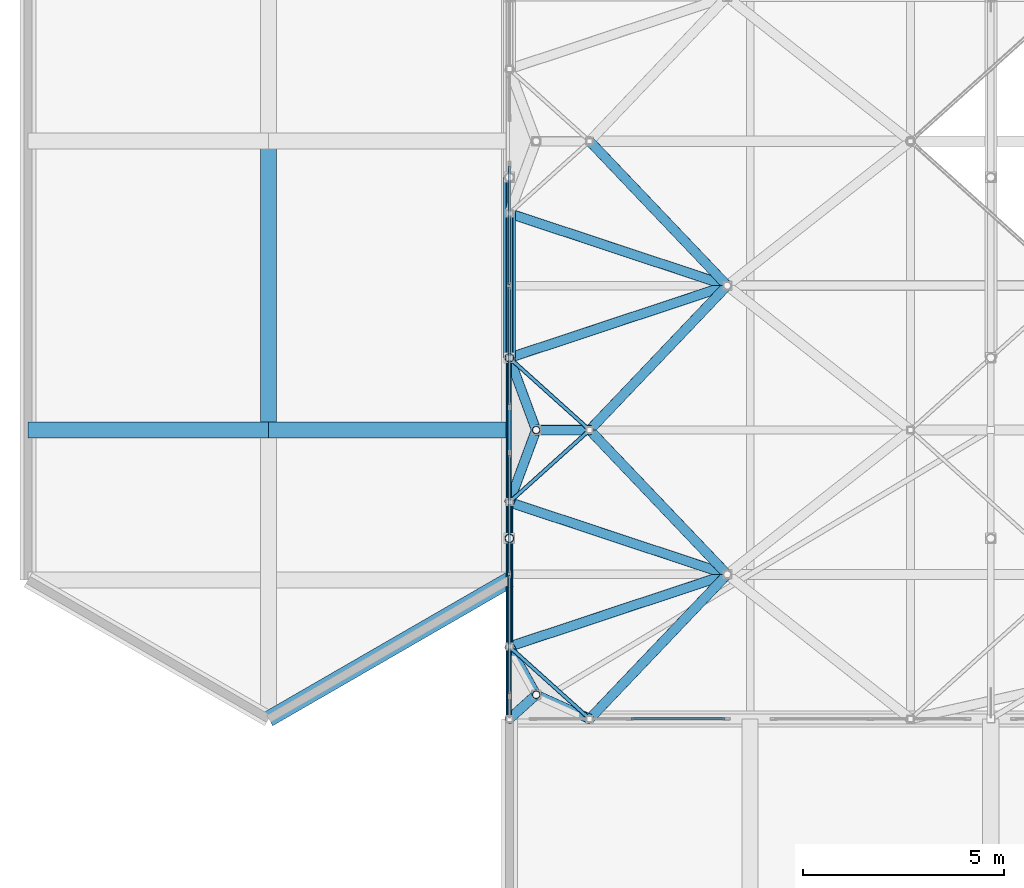
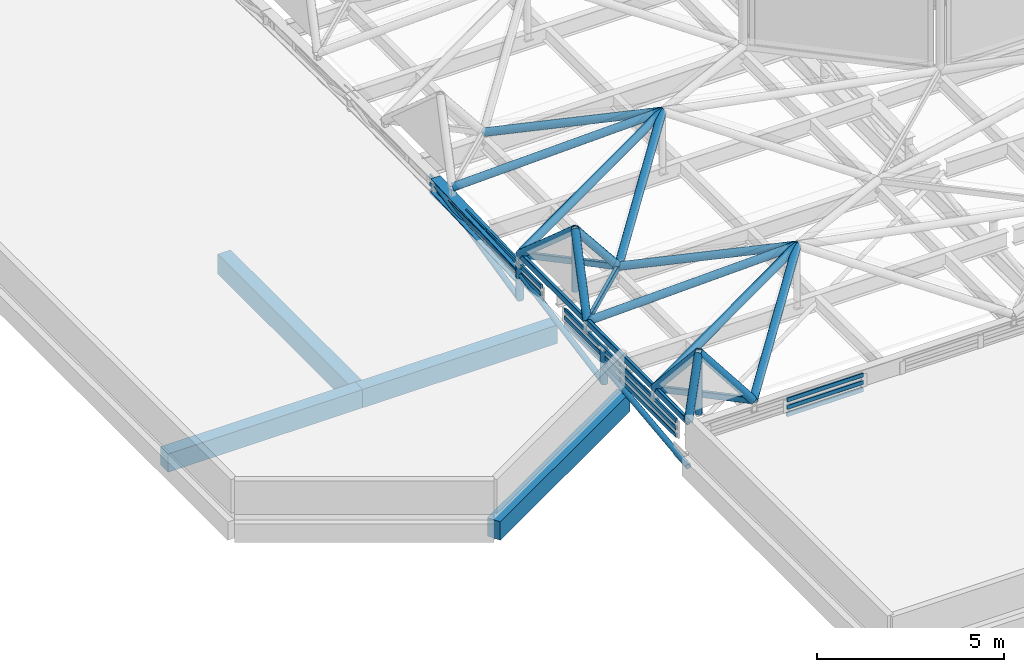
# One storey, part 7 of 239: 36 members, 11 beams, 3 elements without a shape of their own.
"""IFC4 building model written with IfcOpenShell, lengths in metres."""

from ifc_helpers import new_model, si_unit, direction, frame, origin, origin_2d, place, context, subcontext, project, spatial, rectangle, hollow_rectangle, hollow_circle, i_section, extrude, material, layer, layer_set, material_profile, profile_set, type_object, element, aggregate, save


model = new_model("IFC4")

# Units and contexts
model_context = context("Model", 3, precision=1e-05, world=origin(), true_north=direction((0.0, 1.0)))
body_context = subcontext(model_context, "Body", "Model", "MODEL_VIEW")
ifc_project = project(units=[si_unit("LENGTHUNIT", "METRE"), si_unit("AREAUNIT", "SQUARE_METRE"), si_unit("VOLUMEUNIT", "CUBIC_METRE"), si_unit("PLANEANGLEUNIT", "RADIAN"), si_unit("MASSUNIT", "GRAM", prefix="KILO")], contexts=[model_context])

# Site, building, storey
site_placement = place(None, origin())
site = spatial("IfcSite", under=ifc_project, at=site_placement, CompositionType="ELEMENT")
building_placement = place(site_placement, origin())
building = spatial("IfcBuilding", under=site, at=building_placement, Name="Dunvalen Ferry Terminal", CompositionType="ELEMENT")
storey_placement = place(building_placement, frame((0.0, 0.0, 9.840087890625)))
storey = spatial("IfcBuildingStorey", under=building, at=storey_placement, Name="L02", CompositionType="ELEMENT", Elevation=9.840087890625)

# Curtain wall, members
ifc_material_1 = material(Name="Anodised marine aluminium and solar-control glazing", Category="aluminium")
ifc_layer_1 = layer(ifc_material_1, 0.219970703125, Name="Anodised marine aluminium and solar-control glazing")
ifc_layer_set_1 = layer_set([ifc_layer_1], Name="Anodised marine aluminium and solar-control glazing")
curtain_wall_type_1 = type_object("IfcCurtainWallType", Name="ENV-CW-SYS-04", PredefinedType="NOTDEFINED", material=ifc_layer_set_1)
curtain_wall_1_placement = place(storey_placement, origin())
curtain_wall_1 = element("IfcCurtainWall", 1, at=curtain_wall_1_placement, inside=storey, type_object=curtain_wall_type_1, Name="L02 Curtain Wall CW-V1W-CLR-01", PredefinedType="NOTDEFINED")
ifc_material_2 = material(Name="Anodised marine aluminium EN AW-6063 T6", Category="aluminium")
ifc_material_profile_1 = material_profile(ifc_material_2, hollow_rectangle(XDim=0.06005859375, YDim=0.135009765625, WallThickness=0.003173828125, InnerFilletRadius=0.003173828125, OuterFilletRadius=0.00634765625, at=origin_2d()), Name="Anodised marine aluminium EN AW-6063 T6")
ifc_profile_set_1 = profile_set([ifc_material_profile_1], Name="Anodised marine aluminium EN AW-6063 T6")
member_type_1 = type_object("IfcMemberType", Name="ENV-CW-TRN-2", PredefinedType="USERDEFINED", material=ifc_profile_set_1)
member_1_placement = place(storey_placement, frame((12.0, 51.02001953125, 0.27001953125), z_axis=(0.0, 1.0, 0.0), x_axis=(-1.0, 0.0, 0.0)))
member_1 = element("IfcMember", 2, at=member_1_placement, type_object=member_type_1, Name="CW-04 transom 1.1", ObjectType="TRANSOM", PredefinedType="USERDEFINED", context=body_context, shape_type="SweptSolid", body=[
    extrude(hollow_rectangle(XDim=0.06005859375, YDim=0.135009765625, WallThickness=0.003173828125, InnerFilletRadius=0.003173828125, OuterFilletRadius=0.00634765625, at=origin_2d()), origin(), (0.0, 0.0, 1.0), 2.949951171875),
])
member_2_placement = place(storey_placement, frame((12.0, 51.02001953125, 0.510009765625), z_axis=(0.0, 1.0, 0.0), x_axis=(-1.0, 0.0, 0.0)))
member_2 = element("IfcMember", 3, at=member_2_placement, type_object=member_type_1, Name="CW-04 transom 1.2", ObjectType="TRANSOM", PredefinedType="USERDEFINED", context=body_context, shape_type="SweptSolid", body=[
    extrude(hollow_rectangle(XDim=0.06005859375, YDim=0.135009765625, WallThickness=0.003173828125, InnerFilletRadius=0.003173828125, OuterFilletRadius=0.00634765625, at=origin_2d()), origin(), (0.0, 0.0, 1.0), 2.949951171875),
])
member_3_placement = place(storey_placement, frame((12.0, 51.02001953125, 0.75), z_axis=(0.0, 1.0, 0.0), x_axis=(-1.0, 0.0, 0.0)))
member_3 = element("IfcMember", 4, at=member_3_placement, type_object=member_type_1, Name="CW-04 transom 1.3", ObjectType="TRANSOM", PredefinedType="USERDEFINED", context=body_context, shape_type="SweptSolid", body=[
    extrude(hollow_rectangle(XDim=0.06005859375, YDim=0.135009765625, WallThickness=0.003173828125, InnerFilletRadius=0.003173828125, OuterFilletRadius=0.00634765625, at=origin_2d()), origin(), (0.0, 0.0, 1.0), 2.949951171875),
])
member_4_placement = place(storey_placement, frame((12.0, 54.030029296875, 0.27001953125), z_axis=(0.0, 1.0, 0.0), x_axis=(-1.0, 0.0, 0.0)))
member_4 = element("IfcMember", 5, at=member_4_placement, type_object=member_type_1, Name="CW-04 transom 2.1", ObjectType="TRANSOM", PredefinedType="USERDEFINED", context=body_context, shape_type="SweptSolid", body=[
    extrude(hollow_rectangle(XDim=0.06005859375, YDim=0.135009765625, WallThickness=0.003173828125, InnerFilletRadius=0.003173828125, OuterFilletRadius=0.00634765625, at=origin_2d()), origin(), (0.0, 0.0, 1.0), 2.949951171875),
])
member_5_placement = place(storey_placement, frame((12.0, 54.030029296875, 0.510009765625), z_axis=(0.0, 1.0, 0.0), x_axis=(-1.0, 0.0, 0.0)))
member_5 = element("IfcMember", 6, at=member_5_placement, type_object=member_type_1, Name="CW-04 transom 2.2", ObjectType="TRANSOM", PredefinedType="USERDEFINED", context=body_context, shape_type="SweptSolid", body=[
    extrude(hollow_rectangle(XDim=0.06005859375, YDim=0.135009765625, WallThickness=0.003173828125, InnerFilletRadius=0.003173828125, OuterFilletRadius=0.00634765625, at=origin_2d()), origin(), (0.0, 0.0, 1.0), 2.949951171875),
])
member_6_placement = place(storey_placement, frame((12.0, 54.030029296875, 0.75), z_axis=(0.0, 1.0, 0.0), x_axis=(-1.0, 0.0, 0.0)))
member_6 = element("IfcMember", 7, at=member_6_placement, type_object=member_type_1, Name="CW-04 transom 2.3", ObjectType="TRANSOM", PredefinedType="USERDEFINED", context=body_context, shape_type="SweptSolid", body=[
    extrude(hollow_rectangle(XDim=0.06005859375, YDim=0.135009765625, WallThickness=0.003173828125, InnerFilletRadius=0.003173828125, OuterFilletRadius=0.00634765625, at=origin_2d()), origin(), (0.0, 0.0, 1.0), 2.949951171875),
])
aggregate(curtain_wall_1, [member_1, member_2, member_3, member_4, member_5, member_6])

curtain_wall_2_placement = place(storey_placement, origin())
curtain_wall_2 = element("IfcCurtainWall", 8, at=curtain_wall_2_placement, inside=storey, type_object=curtain_wall_type_1, Name="L02 Curtain Wall CW-V1W-CLR-02", PredefinedType="NOTDEFINED")
member_7_placement = place(storey_placement, frame((12.0, 58.219970703125, 0.27001953125), z_axis=(0.0, 1.0, 0.0), x_axis=(-1.0, 0.0, 0.0)))
member_7 = element("IfcMember", 9, at=member_7_placement, type_object=member_type_1, Name="CW-04 transom 1.1", ObjectType="TRANSOM", PredefinedType="USERDEFINED", context=body_context, shape_type="SweptSolid", body=[
    extrude(hollow_rectangle(XDim=0.06005859375, YDim=0.135009765625, WallThickness=0.003173828125, InnerFilletRadius=0.003173828125, OuterFilletRadius=0.00634765625, at=origin_2d()), origin(), (0.0, 0.0, 1.0), 2.949951171875),
])
member_8_placement = place(storey_placement, frame((12.0, 58.219970703125, 0.510009765625), z_axis=(0.0, 1.0, 0.0), x_axis=(-1.0, 0.0, 0.0)))
member_8 = element("IfcMember", 10, at=member_8_placement, type_object=member_type_1, Name="CW-04 transom 1.2", ObjectType="TRANSOM", PredefinedType="USERDEFINED", context=body_context, shape_type="SweptSolid", body=[
    extrude(hollow_rectangle(XDim=0.06005859375, YDim=0.135009765625, WallThickness=0.003173828125, InnerFilletRadius=0.003173828125, OuterFilletRadius=0.00634765625, at=origin_2d()), origin(), (0.0, 0.0, 1.0), 2.949951171875),
])
member_9_placement = place(storey_placement, frame((12.0, 58.219970703125, 0.75), z_axis=(0.0, 1.0, 0.0), x_axis=(-1.0, 0.0, 0.0)))
member_9 = element("IfcMember", 11, at=member_9_placement, type_object=member_type_1, Name="CW-04 transom 1.3", ObjectType="TRANSOM", PredefinedType="USERDEFINED", context=body_context, shape_type="SweptSolid", body=[
    extrude(hollow_rectangle(XDim=0.06005859375, YDim=0.135009765625, WallThickness=0.003173828125, InnerFilletRadius=0.003173828125, OuterFilletRadius=0.00634765625, at=origin_2d()), origin(), (0.0, 0.0, 1.0), 2.949951171875),
])
member_10_placement = place(storey_placement, frame((12.0, 61.22998046875, 0.27001953125), z_axis=(0.0, 1.0, 0.0), x_axis=(-1.0, 0.0, 0.0)))
member_10 = element("IfcMember", 12, at=member_10_placement, type_object=member_type_1, Name="CW-04 transom 2.1", ObjectType="TRANSOM", PredefinedType="USERDEFINED", context=body_context, shape_type="SweptSolid", body=[
    extrude(hollow_rectangle(XDim=0.06005859375, YDim=0.135009765625, WallThickness=0.003173828125, InnerFilletRadius=0.003173828125, OuterFilletRadius=0.00634765625, at=origin_2d()), origin(), (0.0, 0.0, 1.0), 2.949951171875),
])
member_11_placement = place(storey_placement, frame((12.0, 61.22998046875, 0.510009765625), z_axis=(0.0, 1.0, 0.0), x_axis=(-1.0, 0.0, 0.0)))
member_11 = element("IfcMember", 13, at=member_11_placement, type_object=member_type_1, Name="CW-04 transom 2.2", ObjectType="TRANSOM", PredefinedType="USERDEFINED", context=body_context, shape_type="SweptSolid", body=[
    extrude(hollow_rectangle(XDim=0.06005859375, YDim=0.135009765625, WallThickness=0.003173828125, InnerFilletRadius=0.003173828125, OuterFilletRadius=0.00634765625, at=origin_2d()), origin(), (0.0, 0.0, 1.0), 2.949951171875),
])
member_12_placement = place(storey_placement, frame((12.0, 61.22998046875, 0.75), z_axis=(0.0, 1.0, 0.0), x_axis=(-1.0, 0.0, 0.0)))
member_12 = element("IfcMember", 14, at=member_12_placement, type_object=member_type_1, Name="CW-04 transom 2.3", ObjectType="TRANSOM", PredefinedType="USERDEFINED", context=body_context, shape_type="SweptSolid", body=[
    extrude(hollow_rectangle(XDim=0.06005859375, YDim=0.135009765625, WallThickness=0.003173828125, InnerFilletRadius=0.003173828125, OuterFilletRadius=0.00634765625, at=origin_2d()), origin(), (0.0, 0.0, 1.0), 2.949951171875),
])
aggregate(curtain_wall_2, [member_7, member_8, member_9, member_10, member_11, member_12])

ifc_layer_2 = layer(ifc_material_1, 0.219970703125, Name="Anodised marine aluminium and solar-control glazing")
ifc_layer_set_2 = layer_set([ifc_layer_2], Name="Anodised marine aluminium and solar-control glazing")
curtain_wall_type_2 = type_object("IfcCurtainWallType", Name="ENV-CW-SYS-02", PredefinedType="NOTDEFINED", material=ifc_layer_set_2)
curtain_wall_3_placement = place(storey_placement, origin())
curtain_wall_3 = element("IfcCurtainWall", 15, at=curtain_wall_3_placement, inside=storey, type_object=curtain_wall_type_2, Name="L02 Curtain Wall CW-V1SW-CLR-01", PredefinedType="NOTDEFINED")
member_13_placement = place(storey_placement, frame((15.030029296875, 50.39990234375, 0.27001953125), z_axis=(1.0, 0.0, 0.0), x_axis=(0.0, 1.0, 0.0)))
member_13 = element("IfcMember", 16, at=member_13_placement, type_object=member_type_1, Name="CW-02 transom 2.1", ObjectType="TRANSOM", PredefinedType="USERDEFINED", context=body_context, shape_type="SweptSolid", body=[
    extrude(hollow_rectangle(XDim=0.06005859375, YDim=0.135009765625, WallThickness=0.003173828125, InnerFilletRadius=0.003173828125, OuterFilletRadius=0.00634765625, at=origin_2d()), origin(), (0.0, 0.0, 1.0), 2.349853515625),
])
member_14_placement = place(storey_placement, frame((15.030029296875, 50.39990234375, 0.510009765625), z_axis=(1.0, 0.0, 0.0), x_axis=(0.0, 1.0, 0.0)))
member_14 = element("IfcMember", 17, at=member_14_placement, type_object=member_type_1, Name="CW-02 transom 2.2", ObjectType="TRANSOM", PredefinedType="USERDEFINED", context=body_context, shape_type="SweptSolid", body=[
    extrude(hollow_rectangle(XDim=0.06005859375, YDim=0.135009765625, WallThickness=0.003173828125, InnerFilletRadius=0.003173828125, OuterFilletRadius=0.00634765625, at=origin_2d()), origin(), (0.0, 0.0, 1.0), 2.349853515625),
])
member_15_placement = place(storey_placement, frame((15.030029296875, 50.39990234375, 0.75), z_axis=(1.0, 0.0, 0.0), x_axis=(0.0, 1.0, 0.0)))
member_15 = element("IfcMember", 18, at=member_15_placement, type_object=member_type_1, Name="CW-02 transom 2.3", ObjectType="TRANSOM", PredefinedType="USERDEFINED", context=body_context, shape_type="SweptSolid", body=[
    extrude(hollow_rectangle(XDim=0.06005859375, YDim=0.135009765625, WallThickness=0.003173828125, InnerFilletRadius=0.003173828125, OuterFilletRadius=0.00634765625, at=origin_2d()), origin(), (0.0, 0.0, 1.0), 2.349853515625),
])
aggregate(curtain_wall_3, [member_13, member_14, member_15])

# Beams
ifc_material_3 = material(Name="Steel S355", Category="steel")
ifc_material_profile_2 = material_profile(ifc_material_3, i_section(OverallWidth=0.300048828125, OverallDepth=0.449951171875, WebThickness=0.013916015625, FlangeThickness=0.02587890625, FilletRadius=0.027099609375, at=origin_2d()), Name="Steel S355")
ifc_profile_set_2 = profile_set([ifc_material_profile_2], Name="Steel S355")
beam_type_1 = type_object("IfcBeamType", Name="STR-BM-HEB450", PredefinedType="BEAM", material=ifc_profile_set_2)
beam_1_placement = place(storey_placement, frame((12.0, 59.39990234375, 0.474853515625), z_axis=(0.0, 0.999166564808, 0.040818816368), x_axis=(-1.0, 0.0, 0.0)))
element("IfcBeam", 19, at=beam_1_placement, inside=storey, type_object=beam_type_1, Name="Departure Hall Tied-Arch Rib 01.3", PredefinedType="BEAM", context=body_context, shape_type="SweptSolid", body=[
    extrude(i_section(OverallWidth=0.300048828125, OverallDepth=0.449951171875, WebThickness=0.013916015625, FlangeThickness=0.02587890625, FilletRadius=0.027099609375, at=origin_2d()), origin(), (0.0, 0.0, 1.0), 4.503662109375),
])
ifc_material_4 = material(Name="Concrete C35/45", Category="concrete")
ifc_material_profile_3 = material_profile(ifc_material_4, rectangle(XDim=0.39990234375, YDim=0.60009765625, at=origin_2d()), Name="Concrete C35/45")
ifc_profile_set_3 = profile_set([ifc_material_profile_3], Name="Concrete C35/45")
beam_type_2 = type_object("IfcBeamType", Name="STR-BM-RCB600", PredefinedType="BEAM", material=ifc_profile_set_3)
beam_2_placement = place(storey_placement, frame((6.0, 50.39990234375, -0.300048828125), z_axis=(0.866024796723, 0.500001051461, 0.0), x_axis=(-0.500001051461, 0.866024796723, 0.0)))
element("IfcBeam", 20, at=beam_2_placement, inside=storey, type_object=beam_type_2, Name="L02 West Baggage Annex Ring Beam 01", PredefinedType="BEAM", context=body_context, shape_type="SweptSolid", body=[
    extrude(rectangle(XDim=0.39990234375, YDim=0.60009765625, at=origin_2d()), origin(), (0.0, 0.0, 1.0), 6.92822265625),
])
for number, where, z_axis, x_axis, name in (
    (21, (0.0, 57.60009765625, -0.300048828125), (1.0, 0.0, 0.0), (0.0, 1.0, 0.0), "L02 V1AW Primary Beam X-002"),
    (22, (6.0, 57.60009765625, -0.300048828125), (1.0, 0.0, 0.0), (0.0, 1.0, 0.0), "L02 V1AW Primary Beam X-003"),
):
    element("IfcBeam", number, at=place(storey_placement, frame(where, z_axis=z_axis, x_axis=x_axis)), inside=storey, type_object=beam_type_2, Name=name, PredefinedType="BEAM", context=body_context, shape_type="SweptSolid", body=[
        extrude(rectangle(XDim=0.39990234375, YDim=0.60009765625, at=origin_2d()), origin(), (0.0, 0.0, 1.0), 6.0),
    ])
ifc_material_5 = material(Name="Concrete C40/50", Category="concrete")
ifc_material_profile_4 = material_profile(ifc_material_5, rectangle(XDim=0.39990234375, YDim=0.64990234375, at=origin_2d()), Name="Concrete C40/50")
ifc_profile_set_4 = profile_set([ifc_material_profile_4], Name="Concrete C40/50")
beam_type_3 = type_object("IfcBeamType", Name="STR-BM-RCB650", PredefinedType="BEAM", material=ifc_profile_set_4)
beam_3_placement = place(storey_placement, frame((6.0, 57.60009765625, -0.3251953125), z_axis=(0.0, 1.0, 0.0), x_axis=(-1.0, 0.0, 0.0)))
element("IfcBeam", 23, at=beam_3_placement, inside=storey, type_object=beam_type_3, Name="L02 V1AW Primary Girder Y-017", PredefinedType="BEAM", context=body_context, shape_type="SweptSolid", body=[
    extrude(rectangle(XDim=0.39990234375, YDim=0.64990234375, at=origin_2d()), origin(), (0.0, 0.0, 1.0), 7.199951171875),
])
ifc_material_profile_5 = material_profile(ifc_material_3, hollow_rectangle(XDim=0.10009765625, YDim=0.199951171875, WallThickness=0.008056640625, InnerFilletRadius=0.008056640625, OuterFilletRadius=0.01611328125, at=origin_2d()), Name="Steel S355")
ifc_profile_set_5 = profile_set([ifc_material_profile_5], Name="Steel S355")
beam_type_4 = type_object("IfcBeamType", Name="STR-BM-RHS200", PredefinedType="BEAM", material=ifc_profile_set_5)
beam_4_placement = place(storey_placement, frame((14.0, 50.39990234375, 1.099853515625), z_axis=(-0.743285123004, 0.668974757313, 0.0), x_axis=(-0.668974757313, -0.743285123004, 0.0)))
element("IfcBeam", 24, at=beam_4_placement, inside=storey, type_object=beam_type_4, Name="HEX-01 Hexagonal Rim Beam 2", PredefinedType="BEAM", context=body_context, shape_type="SweptSolid", body=[
    extrude(hollow_rectangle(XDim=0.10009765625, YDim=0.199951171875, WallThickness=0.008056640625, InnerFilletRadius=0.008056640625, OuterFilletRadius=0.01611328125, at=origin_2d()), origin(), (0.0, 0.0, 1.0), 2.690673828125),
])
beam_5_placement = place(storey_placement, frame((12.0, 52.199951171875, 1.099853515625), z_axis=(0.0, -1.0, 0.0), x_axis=(1.0, 0.0, 0.0)))
element("IfcBeam", 25, at=beam_5_placement, inside=storey, type_object=beam_type_4, Name="HEX-01 Hexagonal Rim Beam 3", PredefinedType="BEAM", context=body_context, shape_type="SweptSolid", body=[
    extrude(hollow_rectangle(XDim=0.10009765625, YDim=0.199951171875, WallThickness=0.008056640625, InnerFilletRadius=0.008056640625, OuterFilletRadius=0.01611328125, at=origin_2d()), origin(), (0.0, 0.0, 1.0), 1.800048828125),
])
for number, where, z_axis, x_axis, name in (
    (26, (12.0, 55.800048828125, 1.099853515625), (0.743285123004, 0.668974757313, 0.0), (-0.668974757313, 0.743285123004, 0.0), "HEX-02 Hexagonal Rim Beam 1"),
    (27, (14.0, 57.60009765625, 1.099853515625), (-0.74333024006, 0.66892462521, 0.0), (-0.66892462521, -0.74333024006, 0.0), "HEX-02 Hexagonal Rim Beam 2"),
):
    element("IfcBeam", number, at=place(storey_placement, frame(where, z_axis=z_axis, x_axis=x_axis)), inside=storey, type_object=beam_type_4, Name=name, PredefinedType="BEAM", context=body_context, shape_type="SweptSolid", body=[
        extrude(hollow_rectangle(XDim=0.10009765625, YDim=0.199951171875, WallThickness=0.008056640625, InnerFilletRadius=0.008056640625, OuterFilletRadius=0.01611328125, at=origin_2d()), origin(), (0.0, 0.0, 1.0), 2.690673828125),
    ])
beam_6_placement = place(storey_placement, frame((12.0, 59.39990234375, 1.099853515625), z_axis=(0.0, -1.0, 0.0), x_axis=(1.0, 0.0, 0.0)))
element("IfcBeam", 28, at=beam_6_placement, inside=storey, type_object=beam_type_4, Name="HEX-02 Hexagonal Rim Beam 3", PredefinedType="BEAM", context=body_context, shape_type="SweptSolid", body=[
    extrude(hollow_rectangle(XDim=0.10009765625, YDim=0.199951171875, WallThickness=0.008056640625, InnerFilletRadius=0.008056640625, OuterFilletRadius=0.01611328125, at=origin_2d()), origin(), (0.0, 0.0, 1.0), 3.599853515625),
])
beam_7_placement = place(storey_placement, frame((12.0, 55.800048828125, 1.099853515625), z_axis=(0.0, -1.0, 0.0), x_axis=(1.0, 0.0, 0.0)))
element("IfcBeam", 29, at=beam_7_placement, inside=storey, type_object=beam_type_4, Name="HEX-07 Hexagonal Rim Beam 1", PredefinedType="BEAM", context=body_context, shape_type="SweptSolid", body=[
    extrude(hollow_rectangle(XDim=0.10009765625, YDim=0.199951171875, WallThickness=0.008056640625, InnerFilletRadius=0.008056640625, OuterFilletRadius=0.01611328125, at=origin_2d()), origin(), (0.0, 0.0, 1.0), 3.60009765625),
])

# Members
ifc_material_profile_6 = material_profile(ifc_material_3, hollow_circle(Radius=0.084228515625, WallThickness=0.008056640625, at=origin_2d()), Name="Steel S355")
ifc_profile_set_6 = profile_set([ifc_material_profile_6], Name="Steel S355")
member_type_2 = type_object("IfcMemberType", Name="STR-MB-CHS168", PredefinedType="BRACE", material=ifc_profile_set_6)
member_16_placement = place(storey_placement, frame((12.0, 50.39990234375, -0.360107421875), z_axis=(0.0, 0.993166043245, 0.116709941931), x_axis=(-1.0, 0.0, 0.0)))
element("IfcMember", 30, at=member_16_placement, inside=storey, type_object=member_type_2, Name="Departure Hall Arch Web Diagonal 01.1", PredefinedType="BRACE", context=body_context, shape_type="SweptSolid", body=[
    extrude(hollow_circle(Radius=0.084228515625, WallThickness=0.008056640625, at=origin_2d()), origin(), (0.0, 0.0, 1.0), 4.531005859375),
])
member_17_placement = place(storey_placement, frame((12.0, 54.89990234375, -0.360107421875), z_axis=(0.0, 0.983218272848, 0.18243307797), x_axis=(-1.0, 0.0, 0.0)))
element("IfcMember", 31, at=member_17_placement, inside=storey, type_object=member_type_2, Name="Departure Hall Arch Web Diagonal 01.2", PredefinedType="BRACE", context=body_context, shape_type="SweptSolid", body=[
    extrude(hollow_circle(Radius=0.084228515625, WallThickness=0.008056640625, at=origin_2d()), origin(), (0.0, 0.0, 1.0), 4.576904296875),
])
member_18_placement = place(storey_placement, frame((12.0, 59.39990234375, -0.360107421875), z_axis=(0.0, 0.975316524259, 0.220811407104), x_axis=(-1.0, 0.0, 0.0)))
element("IfcMember", 32, at=member_18_placement, inside=storey, type_object=member_type_2, Name="Departure Hall Arch Web Diagonal 01.3", PredefinedType="BRACE", context=body_context, shape_type="SweptSolid", body=[
    extrude(hollow_circle(Radius=0.084228515625, WallThickness=0.008056640625, at=origin_2d()), origin(), (0.0, 0.0, 1.0), 4.61376953125),
])
ifc_material_profile_7 = material_profile(ifc_material_3, hollow_circle(Radius=0.096923828125, WallThickness=0.008056640625, at=origin_2d()), Name="Steel S355")
ifc_profile_set_7 = profile_set([ifc_material_profile_7], Name="Steel S355")
member_type_3 = type_object("IfcMemberType", Name="STR-MB-CHS193", PredefinedType="STRUT", material=ifc_profile_set_7)
for number, where, z_axis, x_axis, name in (
    (33, (12.666748046875, 51.0, 0.77001953125), (0.0, 0.0, 1.0), (1.0, 0.0, 0.0), "HEX-01 Pyramid Apex Strut"),
    (34, (12.666748046875, 57.60009765625, 0.77001953125), (0.0, 0.0, 1.0), (1.0, 0.0, 0.0), "HEX-02 Pyramid Apex Strut"),
):
    element("IfcMember", number, at=place(storey_placement, frame(where, z_axis=z_axis, x_axis=x_axis)), inside=storey, type_object=member_type_3, Name=name, PredefinedType="STRUT", context=body_context, shape_type="SweptSolid", body=[
        extrude(hollow_circle(Radius=0.096923828125, WallThickness=0.008056640625, at=origin_2d()), origin(), (0.0, 0.0, 1.0), 1.994873046875),
    ])
ifc_material_profile_8 = material_profile(ifc_material_3, hollow_circle(Radius=0.109619140625, WallThickness=0.010009765625, at=origin_2d()), Name="Steel S355")
ifc_profile_set_8 = profile_set([ifc_material_profile_8], Name="Steel S355")
member_type_4 = type_object("IfcMemberType", Name="STR-MB-CHS219", PredefinedType="STRUT", material=ifc_profile_set_8)
for number, where, z_axis, x_axis, name in (
    (35, (12.0, 54.89990234375, -0.360107421875), (0.0, 0.0, 1.0), (1.0, 0.0, 0.0), "Departure Hall Arch Spandrel Strut 01.1"),
    (36, (12.0, 59.39990234375, -0.360107421875), (0.0, 0.0, 1.0), (1.0, 0.0, 0.0), "Departure Hall Arch Spandrel Strut 01.2"),
):
    element("IfcMember", number, at=place(storey_placement, frame(where, z_axis=z_axis, x_axis=x_axis)), inside=storey, type_object=member_type_4, Name=name, PredefinedType="STRUT", context=body_context, shape_type="SweptSolid", body=[
        extrude(hollow_circle(Radius=0.109619140625, WallThickness=0.010009765625, at=origin_2d()), origin(), (0.0, 0.0, 1.0), 1.130126953125),
    ])
ifc_material_profile_9 = material_profile(ifc_material_3, hollow_circle(Radius=0.122314453125, WallThickness=0.010009765625, at=origin_2d()), Name="Steel S355")
ifc_profile_set_9 = profile_set([ifc_material_profile_9], Name="Steel S355")
member_type_5 = type_object("IfcMemberType", Name="STR-MB-CHS244", PredefinedType="STRUT", material=ifc_profile_set_9)
member_19_placement = place(storey_placement, frame((12.0, 50.39990234375, 1.099853515625), z_axis=(0.352533790155, 0.317293319737, 0.880366330597), x_axis=(-0.668979768185, 0.743280613065, 0.0)))
element("IfcMember", 37, at=member_19_placement, inside=storey, type_object=member_type_5, Name="HEX-01 Pyramid Hip Rafter 1", PredefinedType="STRUT", context=body_context, shape_type="SweptSolid", body=[
    extrude(hollow_circle(Radius=0.122314453125, WallThickness=0.010009765625, at=origin_2d()), origin(), (0.0, 0.0, 1.0), 1.891357421875),
])
member_20_placement = place(storey_placement, frame((14.0, 50.39990234375, 1.099853515625), z_axis=(-0.601686158653, 0.270819369707, 0.751419081124), x_axis=(-0.410441050062, -0.911887133599, 0.0)))
element("IfcMember", 38, at=member_20_placement, inside=storey, type_object=member_type_5, Name="HEX-01 Pyramid Hip Rafter 2", PredefinedType="STRUT", context=body_context, shape_type="SweptSolid", body=[
    extrude(hollow_circle(Radius=0.122314453125, WallThickness=0.010009765625, at=origin_2d()), origin(), (0.0, 0.0, 1.0), 2.2158203125),
])
member_21_placement = place(storey_placement, frame((12.0, 52.199951171875, 1.099853515625), z_axis=(0.308971474595, -0.556058146333, 0.771580174566), x_axis=(0.874123717778, 0.485703331282, 0.0)))
element("IfcMember", 39, at=member_21_placement, inside=storey, type_object=member_type_5, Name="HEX-01 Pyramid Hip Rafter 3", PredefinedType="STRUT", context=body_context, shape_type="SweptSolid", body=[
    extrude(hollow_circle(Radius=0.122314453125, WallThickness=0.010009765625, at=origin_2d()), origin(), (0.0, 0.0, 1.0), 2.157958984375),
])
member_22_placement = place(storey_placement, frame((12.0, 55.800048828125, 1.099853515625), z_axis=(0.262387740737, 0.708379645717, 0.65524877035), x_axis=(-0.937738020856, 0.34734335209, 0.0)))
element("IfcMember", 40, at=member_22_placement, inside=storey, type_object=member_type_5, Name="HEX-02 Pyramid Hip Rafter 1", PredefinedType="STRUT", context=body_context, shape_type="SweptSolid", body=[
    extrude(hollow_circle(Radius=0.122314453125, WallThickness=0.010009765625, at=origin_2d()), origin(), (0.0, 0.0, 1.0), 2.541015625),
])
member_23_placement = place(storey_placement, frame((14.0, 57.60009765625, 1.099853515625), z_axis=(-0.625043936243, 0.0, 0.780589570624), x_axis=(0.0, -1.0, 0.0)))
element("IfcMember", 41, at=member_23_placement, inside=storey, type_object=member_type_5, Name="HEX-02 Pyramid Hip Rafter 2", PredefinedType="STRUT", context=body_context, shape_type="SweptSolid", body=[
    extrude(hollow_circle(Radius=0.122314453125, WallThickness=0.010009765625, at=origin_2d()), origin(), (0.0, 0.0, 1.0), 2.133056640625),
])
member_24_placement = place(storey_placement, frame((12.0, 59.39990234375, 1.099853515625), z_axis=(0.262405599293, -0.708331775169, 0.655293367696), x_axis=(0.937722673521, 0.347384783151, 0.0)))
element("IfcMember", 42, at=member_24_placement, inside=storey, type_object=member_type_5, Name="HEX-02 Pyramid Hip Rafter 3", PredefinedType="STRUT", context=body_context, shape_type="SweptSolid", body=[
    extrude(hollow_circle(Radius=0.122314453125, WallThickness=0.010009765625, at=origin_2d()), origin(), (0.0, 0.0, 1.0), 2.541015625),
])
for number, where, z_axis, x_axis, name in (
    (43, (12.0, 55.800048828125, 1.099853515625), (0.911347276527, -0.302184002061, 0.279519177276), (0.314729068317, 0.949181549313, 0.0), "HEX-07 Pyramid Hip Rafter 1"),
    (44, (12.0, 52.199951171875, 1.099853515625), (0.911347276527, 0.302184002061, 0.279519177276), (-0.314729068317, 0.949181549313, 0.0), "HEX-07 Pyramid Hip Rafter 2"),
):
    element("IfcMember", number, at=place(storey_placement, frame(where, z_axis=z_axis, x_axis=x_axis)), inside=storey, type_object=member_type_5, Name=name, PredefinedType="STRUT", context=body_context, shape_type="SweptSolid", body=[
        extrude(hollow_circle(Radius=0.122314453125, WallThickness=0.010009765625, at=origin_2d()), origin(), (0.0, 0.0, 1.0), 5.956787109375),
    ])
for number, where, z_axis, x_axis, name in (
    (45, (14.0, 50.39990234375, 1.099853515625), (0.653958936196, 0.686647570005, 0.317573337002), (-0.724133259713, 0.689660077269, 0.0), "HEX-07 Pyramid Hip Rafter 3"),
    (46, (14.0, 57.60009765625, 1.099853515625), (0.653958936196, -0.686647570005, 0.317573337002), (0.724133259713, 0.689660077269, 0.0), "HEX-07 Pyramid Hip Rafter 7"),
):
    element("IfcMember", number, at=place(storey_placement, frame(where, z_axis=z_axis, x_axis=x_axis)), inside=storey, type_object=member_type_5, Name=name, PredefinedType="STRUT", context=body_context, shape_type="SweptSolid", body=[
        extrude(hollow_circle(Radius=0.122314453125, WallThickness=0.010009765625, at=origin_2d()), origin(), (0.0, 0.0, 1.0), 5.242919921875),
    ])
for number, where, z_axis, x_axis, name in (
    (47, (12.0, 63.0, 1.099853515625), (0.911347276527, -0.302184002061, 0.279519177276), (0.314729068317, 0.949181549313, 0.0), "HEX-08 Pyramid Hip Rafter 1"),
    (48, (12.0, 59.39990234375, 1.099853515625), (0.911347276527, 0.302184002061, 0.279519177276), (-0.314729068317, 0.949181549313, 0.0), "HEX-08 Pyramid Hip Rafter 2"),
):
    element("IfcMember", number, at=place(storey_placement, frame(where, z_axis=z_axis, x_axis=x_axis)), inside=storey, type_object=member_type_5, Name=name, PredefinedType="STRUT", context=body_context, shape_type="SweptSolid", body=[
        extrude(hollow_circle(Radius=0.122314453125, WallThickness=0.010009765625, at=origin_2d()), origin(), (0.0, 0.0, 1.0), 5.956787109375),
    ])
for number, where, z_axis, x_axis, name in (
    (49, (14.0, 57.60009765625, 1.099853515625), (0.653979846008, 0.686622958516, 0.317583491155), (-0.724109901608, 0.689684602114, 0.0), "HEX-08 Pyramid Hip Rafter 3"),
    (50, (14.0, 64.800048828125, 1.099853515625), (0.653958936196, -0.686647570005, 0.317573337002), (0.724133259713, 0.689660077269, 0.0), "HEX-08 Pyramid Hip Rafter 7"),
):
    element("IfcMember", number, at=place(storey_placement, frame(where, z_axis=z_axis, x_axis=x_axis)), inside=storey, type_object=member_type_5, Name=name, PredefinedType="STRUT", context=body_context, shape_type="SweptSolid", body=[
        extrude(hollow_circle(Radius=0.122314453125, WallThickness=0.010009765625, at=origin_2d()), origin(), (0.0, 0.0, 1.0), 5.242919921875),
    ])

save(model, "model.ifc")
